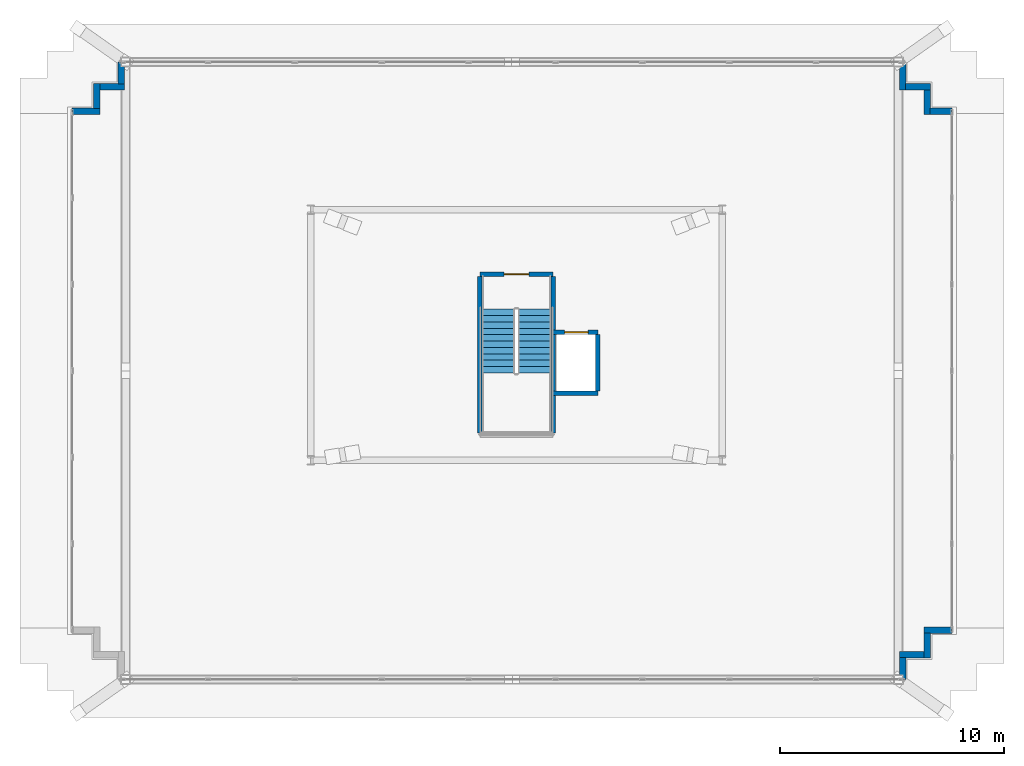
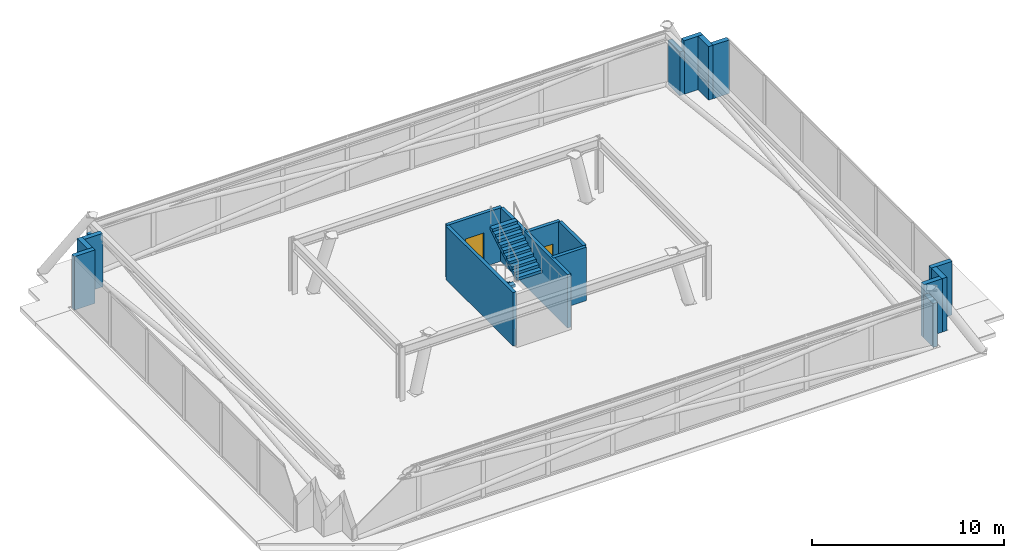
# One storey, part 19 of 22: 18 walls, 2 doors, 2 stair flights, 2 openings, 1 element without a shape of its own.
"""IFC4 building model written with IfcOpenShell, lengths in metres."""

from ifc_helpers import new_model, si_unit, direction, frame, frame_2d, origin, place, context, subcontext, project, spatial, polyline, rectangle, outline, extrude, material, layer, layer_set, type_object, element, fill, aggregate, save


model = new_model("IFC4")

# Units and contexts
model_context = context("Model", 3, precision=1e-05, world=origin(), true_north=direction((0.0, 1.0)))
body_context = subcontext(model_context, "Body", "Model", "MODEL_VIEW")
ifc_project = project(units=[si_unit("LENGTHUNIT", "METRE"), si_unit("AREAUNIT", "SQUARE_METRE"), si_unit("VOLUMEUNIT", "CUBIC_METRE"), si_unit("PLANEANGLEUNIT", "RADIAN"), si_unit("MASSUNIT", "GRAM", prefix="KILO")], contexts=[model_context])

# Site, building, storey
site_placement = place(None, origin())
site = spatial("IfcSite", under=ifc_project, at=site_placement, CompositionType="ELEMENT")
building_placement = place(site_placement, origin())
building = spatial("IfcBuilding", under=site, at=building_placement, Name="Qobustan Lattice House", CompositionType="ELEMENT")
storey_placement = place(building_placement, frame((0.0, 0.0, 274.0)))
storey = spatial("IfcBuildingStorey", under=building, at=storey_placement, Name="L77", CompositionType="ELEMENT", Elevation=274.0)

# Walls
ifc_material_1 = material(Name="Precast concrete C40/50", Category="concrete")
ifc_layer_1 = layer(ifc_material_1, 0.280029296875)
ifc_layer_set_1 = layer_set([ifc_layer_1], Name="Precast concrete C40/50")
wall_type_1 = type_object("IfcWallType", Name="WAL-EXT-CROWN-280", PredefinedType="SOLIDWALL", material=ifc_layer_set_1)
wall_1_placement = place(storey_placement, frame((-19.87353515625, 10.00146484375, 0.0), z_axis=(0.0, 0.0, 1.0), x_axis=(1.0, 0.0, 0.0)))
element("IfcWall", 1, at=wall_1_placement, inside=storey, type_object=wall_type_1, Name="L77 crown faceted limestone wall 6", PredefinedType="SOLIDWALL", context=body_context, shape_type="SweptSolid", body=[
    extrude(rectangle(XDim=1.239990234375, YDim=0.280029296875, at=frame_2d((0.6201171875, 0.0))), origin(), (0.0, 0.0, 1.0), 3.39990234375),
])
for number, where, z_axis, x_axis, name in (
    (2, (-18.7734375, 10.12939453125, 0.0), (0.0, 0.0, 1.0), (0.0, 1.0, 0.0), "L77 crown faceted limestone wall 7"),
    (3, (-18.6455078125, 11.1015625, 0.0), (0.0, 0.0, 1.0), (1.0, 0.0, 0.0), "L77 crown faceted limestone wall 8"),
):
    element("IfcWall", number, at=place(storey_placement, frame(where, z_axis=z_axis, x_axis=x_axis)), inside=storey, type_object=wall_type_1, Name=name, PredefinedType="SOLIDWALL", context=body_context, shape_type="SweptSolid", body=[
        extrude(rectangle(XDim=1.112060546875, YDim=0.280029296875, at=frame_2d((0.55615234375, 0.0))), origin(), (0.0, 0.0, 1.0), 3.39990234375),
    ])
wall_2_placement = place(storey_placement, frame((-17.673583984375, 11.2294921875, 0.0), z_axis=(0.0, 0.0, 1.0), x_axis=(0.0, 1.0, 0.0)))
element("IfcWall", 4, at=wall_2_placement, inside=storey, type_object=wall_type_1, Name="L77 crown faceted limestone wall 9", PredefinedType="SOLIDWALL", context=body_context, shape_type="SweptSolid", body=[
    extrude(rectangle(XDim=0.971923828125, YDim=0.280029296875, at=frame_2d((0.48583984375, 0.0))), origin(), (0.0, 0.0, 1.0), 2.784912109375),
])
wall_3_placement = place(storey_placement, frame((17.2734375, 12.201416015625, 0.0), z_axis=(0.0, 0.0, 1.0), x_axis=(0.0, -1.0, 0.0)))
element("IfcWall", 5, at=wall_3_placement, inside=storey, type_object=wall_type_1, Name="L77 crown faceted limestone wall 11", PredefinedType="SOLIDWALL", context=body_context, shape_type="SweptSolid", body=[
    extrude(rectangle(XDim=1.239990234375, YDim=0.280029296875, at=frame_2d((0.6201171875, 0.0))), origin(), (0.0, 0.0, 1.0), 2.784912109375),
])
for number, where, z_axis, x_axis, name in (
    (6, (17.401611328125, 11.1015625, 0.0), (0.0, 0.0, 1.0), (1.0, 0.0, 0.0), "L77 crown faceted limestone wall 12"),
    (7, (18.37353515625, 10.973388671875, 0.0), (0.0, 0.0, 1.0), (0.0, -1.0, 0.0), "L77 crown faceted limestone wall 13"),
):
    element("IfcWall", number, at=place(storey_placement, frame(where, z_axis=z_axis, x_axis=x_axis)), inside=storey, type_object=wall_type_1, Name=name, PredefinedType="SOLIDWALL", context=body_context, shape_type="SweptSolid", body=[
        extrude(rectangle(XDim=1.11181640625, YDim=0.280029296875, at=frame_2d((0.555908203125, 0.0))), origin(), (0.0, 0.0, 1.0), 3.39990234375),
    ])
wall_4_placement = place(storey_placement, frame((18.50146484375, 10.00146484375, 0.0), z_axis=(0.0, 0.0, 1.0), x_axis=(1.0, 0.0, 0.0)))
element("IfcWall", 8, at=wall_4_placement, inside=storey, type_object=wall_type_1, Name="L77 crown faceted limestone wall 14", PredefinedType="SOLIDWALL", context=body_context, shape_type="SweptSolid", body=[
    extrude(rectangle(XDim=0.971923828125, YDim=0.280029296875, at=frame_2d((0.48583984375, 0.0))), origin(), (0.0, 0.0, 1.0), 3.39990234375),
])
wall_5_placement = place(storey_placement, frame((19.473388671875, -13.201416015625, 0.0), z_axis=(0.0, 0.0, 1.0), x_axis=(-1.0, 0.0, 0.0)))
element("IfcWall", 9, at=wall_5_placement, inside=storey, type_object=wall_type_1, Name="L77 crown faceted limestone wall 16", PredefinedType="SOLIDWALL", context=body_context, shape_type="SweptSolid", body=[
    extrude(rectangle(XDim=1.239990234375, YDim=0.280029296875, at=frame_2d((0.6201171875, 0.0))), origin(), (0.0, 0.0, 1.0), 3.39990234375),
])
wall_6_placement = place(storey_placement, frame((18.37353515625, -13.32958984375, 0.0), z_axis=(0.0, 0.0, 1.0), x_axis=(0.0, -1.0, 0.0)))
element("IfcWall", 10, at=wall_6_placement, inside=storey, type_object=wall_type_1, Name="L77 crown faceted limestone wall 17", PredefinedType="SOLIDWALL", context=body_context, shape_type="SweptSolid", body=[
    extrude(rectangle(XDim=1.11181640625, YDim=0.280029296875, at=frame_2d((0.555908203125, 0.0))), origin(), (0.0, 0.0, 1.0), 3.39990234375),
])
wall_7_placement = place(storey_placement, frame((18.24560546875, -14.301513671875, 0.0), z_axis=(0.0, 0.0, 1.0), x_axis=(-1.0, 0.0, 0.0)))
element("IfcWall", 11, at=wall_7_placement, inside=storey, type_object=wall_type_1, Name="L77 crown faceted limestone wall 18", PredefinedType="SOLIDWALL", context=body_context, shape_type="SweptSolid", body=[
    extrude(rectangle(XDim=1.112060546875, YDim=0.280029296875, at=frame_2d((0.55615234375, 0.0))), origin(), (0.0, 0.0, 1.0), 3.39990234375),
])
wall_8_placement = place(storey_placement, frame((17.2734375, -14.429443359375, 0.0), z_axis=(0.0, 0.0, 1.0), x_axis=(0.0, -1.0, 0.0)))
element("IfcWall", 12, at=wall_8_placement, inside=storey, type_object=wall_type_1, Name="L77 crown faceted limestone wall 19", PredefinedType="SOLIDWALL", context=body_context, shape_type="SweptSolid", body=[
    extrude(rectangle(XDim=0.97216796875, YDim=0.280029296875, at=frame_2d((0.486083984375, 0.0))), origin(), (0.0, 0.0, 1.0), 2.784912109375),
])

# Wall, opening, door
ifc_material_2 = material(Name="Concrete C40/50", Category="concrete")
ifc_layer_2 = layer(ifc_material_2, 0.199951171875)
ifc_layer_set_2 = layer_set([ifc_layer_2], Name="Concrete C40/50")
wall_type_2 = type_object("IfcWallType", Name="WAL-SHAFT-LB-200", PredefinedType="SHEAR", material=ifc_layer_set_2)
wall_9_placement = place(storey_placement, frame((-1.639892578125, 2.719970703125, 0.0), z_axis=(0.0, 0.0, 1.0), x_axis=(1.0, 0.0, 0.0)))
wall_9 = element("IfcWall", 13, at=wall_9_placement, inside=storey, type_object=wall_type_2, Name="L77 crown stair ST-C1 RC shaft wall STC-N", PredefinedType="SHEAR", context=body_context, shape_type="SweptSolid", body=[
    extrude(rectangle(XDim=3.27978515625, YDim=0.199951171875, at=frame_2d((1.639892578125, 0.0))), origin(), (0.0, 0.0, 1.0), 3.39990234375),
])
opening_1_placement = place(wall_9_placement, frame((1.090087890625, 0.0, 0.0)))
opening_1 = element("IfcOpeningElement", 14, at=opening_1_placement, cuts=wall_9, Name="Opening SD-01", PredefinedType="OPENING", context=body_context, shape_type="SweptSolid", body=[
    extrude(rectangle(XDim=1.10009765625, YDim=2.14990234375, at=frame_2d((0.550048828125, 1.074951171875))), frame((0.0, 0.10986328125, 0.0), z_axis=(0.0, -1.0, 0.0), x_axis=(1.0, 0.0, 0.0)), (0.0, 0.0, 1.0), 0.219970703125),
])
ifc_material_3 = material(Name="Persian walnut timber and steel frame door", Category="steel")
door_type_1 = type_object("IfcDoorType", Name="DOR-STAIR-FD-1100x2150", OperationType="NOTDEFINED", PredefinedType="DOOR", material=ifc_material_3)
door_1_placement = place(opening_1_placement, origin())
door_1 = element("IfcDoor", 15, at=door_1_placement, inside=storey, type_object=door_type_1, Name="L77 crown access stair ST-C1 fire door", OperationType="SINGLE_SWING_LEFT", OverallHeight=2.14990234375, OverallWidth=1.10009765625, PredefinedType="DOOR", context=body_context, shape_type="SweptSolid", body=[
    extrude(rectangle(XDim=1.10009765625, YDim=2.14990234375, at=frame_2d((0.550048828125, 1.074951171875))), frame((0.0, 0.02490234375, 0.0), z_axis=(0.0, -1.0, 0.0), x_axis=(1.0, 0.0, 0.0)), (0.0, 0.0, 1.0), 0.050048828125),
])
fill(opening_1, door_1)

# Walls
for number, where, z_axis, x_axis, name in (
    (16, (-1.639892578125, -4.3798828125, 0.0), (0.0, 0.0, 1.0), (0.0, 1.0, 0.0), "L77 crown stair ST-C1 RC shaft wall STC-W"),
    (17, (1.639892578125, -4.3798828125, 0.0), (0.0, 0.0, 1.0), (0.0, 1.0, 0.0), "L77 crown stair ST-C1 RC shaft wall STC-E"),
):
    element("IfcWall", number, at=place(storey_placement, frame(where, z_axis=z_axis, x_axis=x_axis)), inside=storey, type_object=wall_type_2, Name=name, PredefinedType="SHEAR", context=body_context, shape_type="SweptSolid", body=[
        extrude(rectangle(XDim=7.0, YDim=0.199951171875, at=frame_2d((3.5, 0.0))), origin(), (0.0, 0.0, 1.0), 3.39990234375),
    ])

# Wall, opening, door
wall_10_placement = place(storey_placement, frame((1.639892578125, 0.1201171875, 0.0), z_axis=(0.0, 0.0, 1.0), x_axis=(1.0, 0.0, 0.0)))
wall_10 = element("IfcWall", 18, at=wall_10_placement, inside=storey, type_object=wall_type_2, Name="L77 crown firefighting lift RC shaft wall FFC-N", PredefinedType="SHEAR", context=body_context, shape_type="SweptSolid", body=[
    extrude(rectangle(XDim=2.0, YDim=0.199951171875, at=frame_2d((1.0, 0.0))), origin(), (0.0, 0.0, 1.0), 3.39990234375),
])
opening_2_placement = place(wall_10_placement, frame((0.514892578125, 0.0, 0.0)))
opening_2 = element("IfcOpeningElement", 19, at=opening_2_placement, cuts=wall_10, Name="Opening LD-01", PredefinedType="OPENING", context=body_context, shape_type="SweptSolid", body=[
    extrude(rectangle(XDim=1.050048828125, YDim=2.10009765625, at=frame_2d((0.52490234375, 1.050048828125))), frame((0.0, 0.10986328125, 0.0), z_axis=(0.0, -1.0, 0.0), x_axis=(1.0, 0.0, 0.0)), (0.0, 0.0, 1.0), 0.219970703125),
])
ifc_material_4 = material(Name="Persian walnut timber and steel frame door", Category="steel")
door_type_2 = type_object("IfcDoorType", Name="DOR-LIFT-LD-1050x2100", OperationType="NOTDEFINED", PredefinedType="DOOR", material=ifc_material_4)
door_2_placement = place(opening_2_placement, origin())
door_2 = element("IfcDoor", 20, at=door_2_placement, inside=storey, type_object=door_type_2, Name="L77 crown firefighting lift FF-C landing door", OperationType="DOUBLE_DOOR_SLIDING", OverallHeight=2.10009765625, OverallWidth=1.050048828125, PredefinedType="DOOR", context=body_context, shape_type="SweptSolid", body=[
    extrude(rectangle(XDim=1.050048828125, YDim=2.10009765625, at=frame_2d((0.52490234375, 1.050048828125))), frame((0.0, 0.02490234375, 0.0), z_axis=(0.0, -1.0, 0.0), x_axis=(1.0, 0.0, 0.0)), (0.0, 0.0, 1.0), 0.050048828125),
])
fill(opening_2, door_2)

# Walls
wall_11_placement = place(storey_placement, frame((1.639892578125, -2.60009765625, 0.0), z_axis=(0.0, 0.0, 1.0), x_axis=(1.0, 0.0, 0.0)))
element("IfcWall", 21, at=wall_11_placement, inside=storey, type_object=wall_type_2, Name="L77 crown firefighting lift RC shaft wall FFC-S", PredefinedType="SHEAR", context=body_context, shape_type="SweptSolid", body=[
    extrude(rectangle(XDim=2.0, YDim=0.199951171875, at=frame_2d((1.0, 0.0))), origin(), (0.0, 0.0, 1.0), 3.39990234375),
])
wall_12_placement = place(storey_placement, frame((3.639892578125, -2.5, 0.0), z_axis=(0.0, 0.0, 1.0), x_axis=(0.0, 1.0, 0.0)))
element("IfcWall", 22, at=wall_12_placement, inside=storey, type_object=wall_type_2, Name="L77 crown firefighting lift RC shaft wall FFC-E", PredefinedType="SHEAR", context=body_context, shape_type="SweptSolid", body=[
    extrude(rectangle(XDim=2.52001953125, YDim=0.199951171875, at=frame_2d((1.260009765625, 0.0))), origin(), (0.0, 0.0, 1.0), 3.39990234375),
])

# Stair, stair flights
ifc_material_5 = material(Name="Concrete C40/50", Category="concrete")
stair_type = type_object("IfcStairType", Name="STR-CORE-DOGLEG", PredefinedType="HALF_TURN_STAIR", material=ifc_material_5)
stair_placement = place(storey_placement, origin())
stair = element("IfcStair", 23, at=stair_placement, inside=storey, type_object=stair_type, Name="L77 Crown access stair ST-C1", PredefinedType="HALF_TURN_STAIR")
ifc_material_6 = material(Name="Concrete C40/50", Category="concrete")
stair_flight_type = type_object("IfcStairFlightType", Name="SFL-RC-1500", PredefinedType="STRAIGHT", material=ifc_material_6)
stair_flight_1_placement = place(storey_placement, frame((-0.81005859375, 1.14990234375, 0.0), z_axis=(0.0, 0.0, 1.0), x_axis=(0.0, -1.0, 0.0)))
stair_flight_1 = element("IfcStairFlight", 24, at=stair_flight_1_placement, type_object=stair_flight_type, Name="ST-C1 flight 1", NumberOfRisers=11, NumberOfTreads=10, PredefinedType="STRAIGHT", RiserHeight=0.172727273, TreadLength=0.285, context=body_context, shape_type="SweptSolid", body=[
    extrude(outline(polyline([(0.0, 0.0), (0.0, 0.172607421875), (0.284912109375, 0.172607421875), (0.284912109375, 0.345458984375), (0.570068359375, 0.345458984375), (0.570068359375, 0.51806640625), (0.85498046875, 0.51806640625), (0.85498046875, 0.69091796875), (1.139892578125, 0.69091796875), (1.139892578125, 0.863525390625), (1.425048828125, 0.863525390625), (1.425048828125, 1.036376953125), (1.7099609375, 1.036376953125), (1.7099609375, 1.208984375), (1.9951171875, 1.208984375), (1.9951171875, 1.3818359375), (2.280029296875, 1.3818359375), (2.280029296875, 1.554443359375), (2.56494140625, 1.554443359375), (2.56494140625, 1.727294921875), (2.85009765625, 1.727294921875), (2.85009765625, 1.89990234375), (2.85009765625, 1.552001953125), (0.289306640625, 0.0), (0.0, 0.0)])), frame((0.0, 0.75, 0.0), z_axis=(0.0, -1.0, 0.0), x_axis=(1.0, 0.0, 0.0)), (0.0, 0.0, 1.0), 1.5),
])
stair_flight_2_placement = place(storey_placement, frame((0.81005859375, -1.699951171875, 1.89990234375), z_axis=(0.0, 0.0, 1.0), x_axis=(0.0, 1.0, 0.0)))
stair_flight_2 = element("IfcStairFlight", 25, at=stair_flight_2_placement, type_object=stair_flight_type, Name="ST-C1 flight 2", NumberOfRisers=11, NumberOfTreads=10, PredefinedType="STRAIGHT", RiserHeight=0.172727273, TreadLength=0.285, context=body_context, shape_type="SweptSolid", body=[
    extrude(outline(polyline([(0.0, 0.0), (0.0, 0.172607421875), (0.284912109375, 0.172607421875), (0.284912109375, 0.345458984375), (0.570068359375, 0.345458984375), (0.570068359375, 0.51806640625), (0.85498046875, 0.51806640625), (0.85498046875, 0.69091796875), (1.139892578125, 0.69091796875), (1.139892578125, 0.863525390625), (1.425048828125, 0.863525390625), (1.425048828125, 1.036376953125), (1.7099609375, 1.036376953125), (1.7099609375, 1.208984375), (1.9951171875, 1.208984375), (1.9951171875, 1.3818359375), (2.280029296875, 1.3818359375), (2.280029296875, 1.554443359375), (2.56494140625, 1.554443359375), (2.56494140625, 1.727294921875), (2.85009765625, 1.727294921875), (2.85009765625, 1.89990234375), (2.85009765625, 1.552001953125), (0.289306640625, 0.0), (0.0, 0.0)])), frame((0.0, 0.75, 0.0), z_axis=(0.0, -1.0, 0.0), x_axis=(1.0, 0.0, 0.0)), (0.0, 0.0, 1.0), 1.5),
])
aggregate(stair, [stair_flight_1, stair_flight_2])

save(model, "model.ifc")
